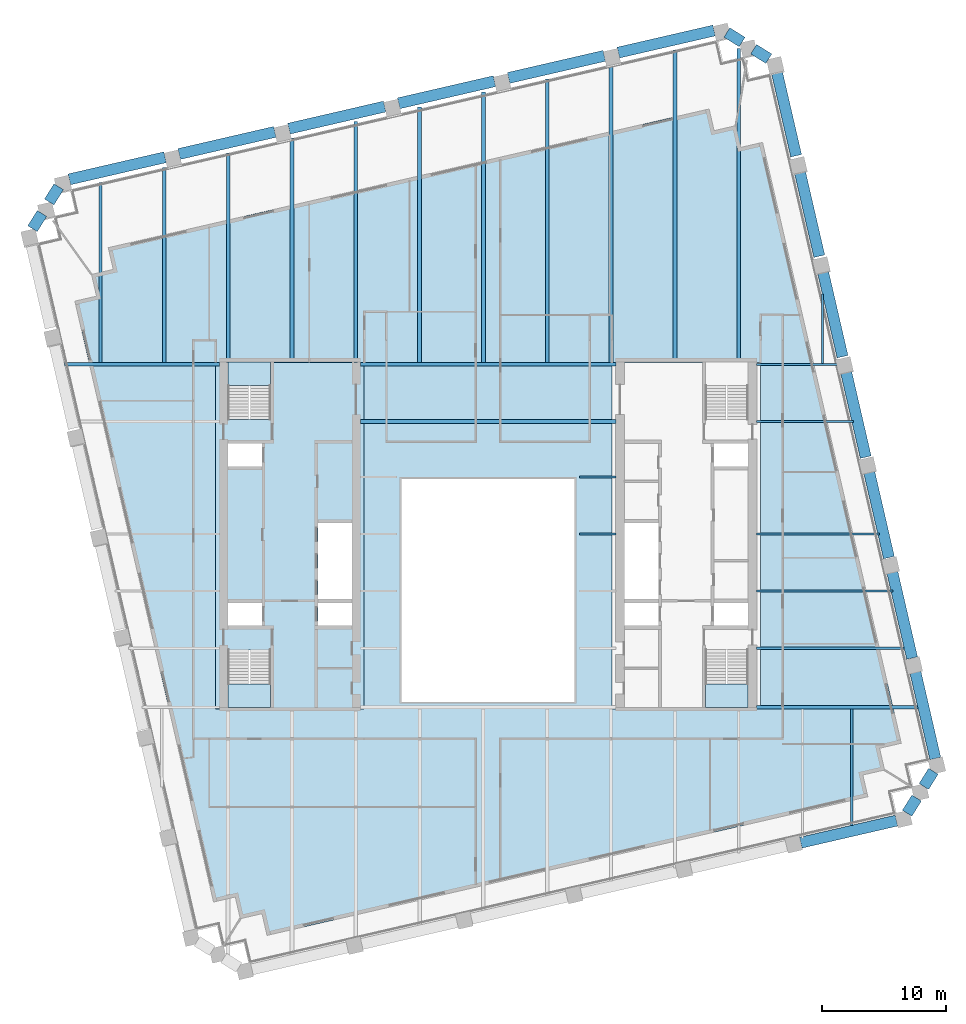
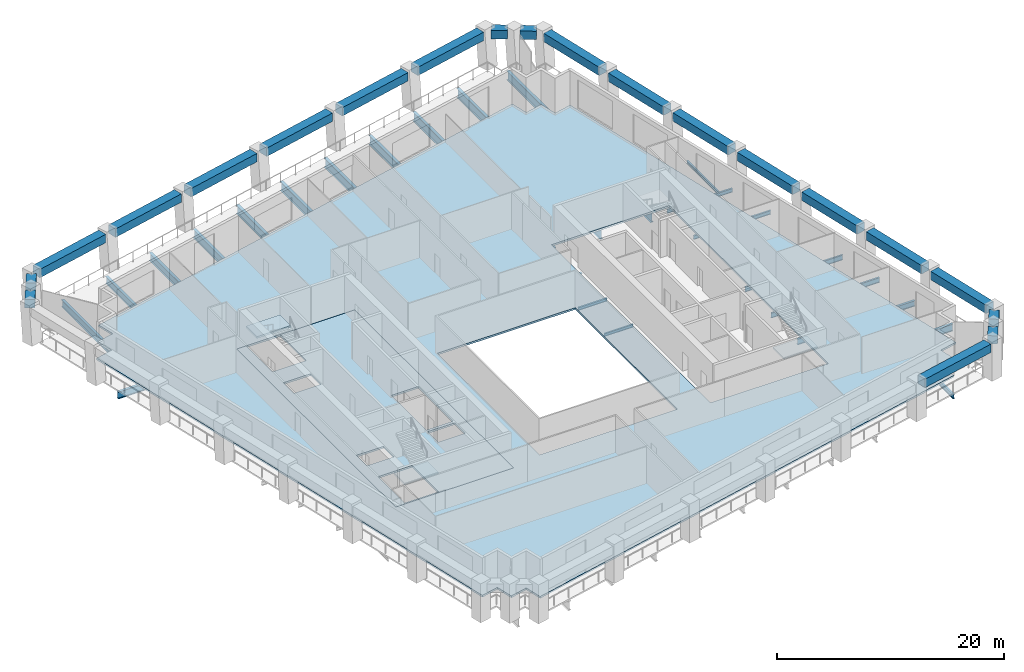
# One storey, part 2 of 10: 44 beams, 5 slabs, 3 elements without a shape of their own.
"""IFC4 building model written with IfcOpenShell, lengths in metres."""

from ifc_helpers import new_model, si_unit, direction, frame, origin, origin_2d, place, context, subcontext, project, spatial, polyline, rectangle, i_section, outline, extrude, material, layer, layer_set, material_profile, profile_set, type_object, element, aggregate, save


model = new_model("IFC4")

# Units and contexts
model_context = context("Model", 3, precision=1e-05, world=origin(), true_north=direction((0.0, 1.0)))
body_context = subcontext(model_context, "Body", "Model", "MODEL_VIEW")
ifc_project = project(units=[si_unit("LENGTHUNIT", "METRE"), si_unit("AREAUNIT", "SQUARE_METRE"), si_unit("VOLUMEUNIT", "CUBIC_METRE"), si_unit("PLANEANGLEUNIT", "RADIAN"), si_unit("MASSUNIT", "GRAM", prefix="KILO")], contexts=[model_context])

# Site, building, storey
site_placement = place(None, origin())
site = spatial("IfcSite", under=ifc_project, at=site_placement, CompositionType="ELEMENT")
building_placement = place(site_placement, origin())
building = spatial("IfcBuilding", under=site, at=building_placement, Name="Ogive Exchange Tower", CompositionType="ELEMENT")
storey_placement = place(building_placement, frame((0.0, 0.0, 205.199951171875)))
storey = spatial("IfcBuildingStorey", under=building, at=storey_placement, Name="L45", CompositionType="ELEMENT", Elevation=205.199951171875)

# Beams
ifc_material_1 = material(Name="Steel ASTM A992 Gr50", Category="steel")
ifc_material_profile_1 = material_profile(ifc_material_1, i_section(OverallWidth=0.300048828125, OverallDepth=0.97998046875, WebThickness=0.0166015625, FlangeThickness=0.026123046875, at=origin_2d()), Name="W1000x249")
ifc_profile_set_1 = profile_set([ifc_material_profile_1], Name="Steel ASTM A992 Gr50")
beam_type_1 = type_object("IfcBeamType", Name="Floor beam W1000x249", PredefinedType="JOIST", material=ifc_profile_set_1)
beam_1_placement = place(storey_placement, frame((-10.320068359375, 20.62255859375, -0.68994140625), z_axis=(1.0, 0.0, 0.0), x_axis=(0.0, 1.0, 0.0)))
element("IfcBeam", 1, at=beam_1_placement, inside=storey, type_object=beam_type_1, Name="Floor beam", PredefinedType="JOIST", context=body_context, shape_type="SweptSolid", body=[
    extrude(i_section(OverallWidth=0.300048828125, OverallDepth=0.97998046875, WebThickness=0.0166015625, FlangeThickness=0.026123046875, at=origin_2d()), origin(), (0.0, 0.0, 1.0), 20.64013671875),
])
beam_2_placement = place(storey_placement, frame((-5.529052734375, 25.39501953125, -0.68994140625), z_axis=(0.0, 1.0, 0.0), x_axis=(-1.0, 0.0, 0.0)))
element("IfcBeam", 2, at=beam_2_placement, inside=storey, type_object=beam_type_1, Name="Floor beam", PredefinedType="JOIST", context=body_context, shape_type="SweptSolid", body=[
    extrude(i_section(OverallWidth=0.300048828125, OverallDepth=0.97998046875, WebThickness=0.0166015625, FlangeThickness=0.026123046875, at=origin_2d()), origin(), (0.0, 0.0, 1.0), 20.644775390625),
])
beam_3_placement = place(storey_placement, frame((-0.374267578125, 25.39501953125, -0.68994140625), z_axis=(0.0, 1.0, 0.0), x_axis=(-1.0, 0.0, 0.0)))
element("IfcBeam", 3, at=beam_3_placement, inside=storey, type_object=beam_type_1, Name="Floor beam", PredefinedType="JOIST", context=body_context, shape_type="SweptSolid", body=[
    extrude(i_section(OverallWidth=0.300048828125, OverallDepth=0.97998046875, WebThickness=0.0166015625, FlangeThickness=0.026123046875, at=origin_2d()), origin(), (0.0, 0.0, 1.0), 21.834716796875),
])
beam_4_placement = place(storey_placement, frame((4.780517578125, 25.39501953125, -0.68994140625), z_axis=(0.0, 1.0, 0.0), x_axis=(-1.0, 0.0, 0.0)))
element("IfcBeam", 4, at=beam_4_placement, inside=storey, type_object=beam_type_1, Name="Floor beam", PredefinedType="JOIST", context=body_context, shape_type="SweptSolid", body=[
    extrude(i_section(OverallWidth=0.300048828125, OverallDepth=0.97998046875, WebThickness=0.0166015625, FlangeThickness=0.026123046875, at=origin_2d()), origin(), (0.0, 0.0, 1.0), 22.875),
])
beam_5_placement = place(storey_placement, frame((9.935302734375, 25.39501953125, -0.68994140625), z_axis=(0.0, 1.0, 0.0), x_axis=(-1.0, 0.0, 0.0)))
element("IfcBeam", 5, at=beam_5_placement, inside=storey, type_object=beam_type_1, Name="Floor beam", PredefinedType="JOIST", context=body_context, shape_type="SweptSolid", body=[
    extrude(i_section(OverallWidth=0.300048828125, OverallDepth=0.97998046875, WebThickness=0.0166015625, FlangeThickness=0.026123046875, at=origin_2d()), origin(), (0.0, 0.0, 1.0), 24.06494140625),
])
beam_6_placement = place(storey_placement, frame((15.090087890625, 25.39990234375, -0.68994140625), z_axis=(0.0, 1.0, 0.0), x_axis=(-1.0, 0.0, 0.0)))
element("IfcBeam", 6, at=beam_6_placement, inside=storey, type_object=beam_type_1, Name="Floor beam", PredefinedType="JOIST", context=body_context, shape_type="SweptSolid", body=[
    extrude(i_section(OverallWidth=0.300048828125, OverallDepth=0.97998046875, WebThickness=0.0166015625, FlangeThickness=0.026123046875, at=origin_2d()), origin(), (0.0, 0.0, 1.0), 25.250244140625),
])
beam_7_placement = place(storey_placement, frame((20.2451171875, 25.39990234375, -0.68994140625), z_axis=(0.0, 1.0, 0.0), x_axis=(-1.0, 0.0, 0.0)))
element("IfcBeam", 7, at=beam_7_placement, inside=storey, type_object=beam_type_1, Name="Floor beam", PredefinedType="JOIST", context=body_context, shape_type="SweptSolid", body=[
    extrude(i_section(OverallWidth=0.300048828125, OverallDepth=0.97998046875, WebThickness=0.0166015625, FlangeThickness=0.026123046875, at=origin_2d()), origin(), (0.0, 0.0, 1.0), 25.37109375),
])
ifc_material_profile_2 = material_profile(ifc_material_1, i_section(OverallWidth=0.1650390625, OverallDepth=0.31005859375, WebThickness=0.005859375, FlangeThickness=0.009765625, at=origin_2d()), Name="W310x38.7")
ifc_profile_set_2 = profile_set([ifc_material_profile_2], Name="Steel ASTM A992 Gr50")
beam_type_2 = type_object("IfcBeamType", Name="Floor beam W310x38.7", PredefinedType="JOIST", material=ifc_profile_set_2)
beam_8_placement = place(storey_placement, frame((7.3701171875, 11.543701171875, -0.35498046875), z_axis=(1.0, 0.0, 0.0), x_axis=(0.0, 1.0, 0.0)))
element("IfcBeam", 8, at=beam_8_placement, inside=storey, type_object=beam_type_2, Name="Floor beam", PredefinedType="JOIST", context=body_context, shape_type="SweptSolid", body=[
    extrude(i_section(OverallWidth=0.1650390625, OverallDepth=0.31005859375, WebThickness=0.005859375, FlangeThickness=0.009765625, at=origin_2d()), origin(), (0.0, 0.0, 1.0), 2.949951171875),
])
beam_9_placement = place(storey_placement, frame((26.999755859375, 25.333984375, -0.35498046875), z_axis=(0.0, 1.0, 0.0), x_axis=(-1.0, 0.0, 0.0)))
element("IfcBeam", 9, at=beam_9_placement, inside=storey, type_object=beam_type_2, Name="Floor beam", PredefinedType="JOIST", context=body_context, shape_type="SweptSolid", body=[
    extrude(i_section(OverallWidth=0.1650390625, OverallDepth=0.31005859375, WebThickness=0.005859375, FlangeThickness=0.009765625, at=origin_2d()), origin(), (0.0, 0.0, 1.0), 5.579833984375),
])
ifc_material_profile_3 = material_profile(ifc_material_1, i_section(OverallWidth=0.177978515625, OverallDepth=0.406005859375, WebThickness=0.0078125, FlangeThickness=0.0126953125, at=origin_2d()), Name="W410x60")
ifc_profile_set_3 = profile_set([ifc_material_profile_3], Name="Steel ASTM A992 Gr50")
beam_type_3 = type_object("IfcBeamType", Name="Floor beam W410x60", PredefinedType="JOIST", material=ifc_profile_set_3)
beam_10_placement = place(storey_placement, frame((21.679931640625, 20.62255859375, -0.40283203125), z_axis=(1.0, 0.0, 0.0), x_axis=(0.0, 1.0, 0.0)))
element("IfcBeam", 10, at=beam_10_placement, inside=storey, type_object=beam_type_3, Name="Floor beam", PredefinedType="JOIST", context=body_context, shape_type="SweptSolid", body=[
    extrude(i_section(OverallWidth=0.177978515625, OverallDepth=0.406005859375, WebThickness=0.0078125, FlangeThickness=0.0126953125, at=origin_2d()), origin(), (0.0, 0.0, 1.0), 7.845703125),
])
ifc_material_profile_4 = material_profile(ifc_material_1, i_section(OverallWidth=0.19091796875, OverallDepth=0.45703125, WebThickness=0.009033203125, FlangeThickness=0.014404296875, at=origin_2d()), Name="W460x74")
ifc_profile_set_4 = profile_set([ifc_material_profile_4], Name="Steel ASTM A992 Gr50")
beam_type_4 = type_object("IfcBeamType", Name="Floor beam W460x74", PredefinedType="JOIST", material=ifc_profile_set_4)
beam_11_placement = place(storey_placement, frame((29.354736328125, -11.973876953125, -0.428466796875), z_axis=(0.0, 1.0, 0.0), x_axis=(-1.0, 0.0, 0.0)))
element("IfcBeam", 11, at=beam_11_placement, inside=storey, type_object=beam_type_4, Name="Floor beam", PredefinedType="JOIST", context=body_context, shape_type="SweptSolid", body=[
    extrude(i_section(OverallWidth=0.19091796875, OverallDepth=0.45703125, WebThickness=0.009033203125, FlangeThickness=0.014404296875, at=origin_2d()), origin(), (0.0, 0.0, 1.0), 9.395263671875),
])
ifc_material_profile_5 = material_profile(ifc_material_1, i_section(OverallWidth=0.1669921875, OverallDepth=0.535888671875, WebThickness=0.01025390625, FlangeThickness=0.0166015625, at=origin_2d()), Name="W530x85")
ifc_profile_set_5 = profile_set([ifc_material_profile_5], Name="Steel ASTM A992 Gr50")
beam_type_5 = type_object("IfcBeamType", Name="Floor beam W530x85", PredefinedType="JOIST", material=ifc_profile_set_5)
beam_12_placement = place(storey_placement, frame((21.679931640625, 6.9326171875, -0.468017578125), z_axis=(1.0, 0.0, 0.0), x_axis=(0.0, 1.0, 0.0)))
element("IfcBeam", 12, at=beam_12_placement, inside=storey, type_object=beam_type_5, Name="Floor beam", PredefinedType="JOIST", context=body_context, shape_type="SweptSolid", body=[
    extrude(i_section(OverallWidth=0.1669921875, OverallDepth=0.535888671875, WebThickness=0.01025390625, FlangeThickness=0.0166015625, at=origin_2d()), origin(), (0.0, 0.0, 1.0), 11.00634765625),
])
beam_13_placement = place(storey_placement, frame((21.679931640625, 11.543701171875, -0.468017578125), z_axis=(1.0, 0.0, 0.0), x_axis=(0.0, 1.0, 0.0)))
element("IfcBeam", 13, at=beam_13_placement, inside=storey, type_object=beam_type_5, Name="Floor beam", PredefinedType="JOIST", context=body_context, shape_type="SweptSolid", body=[
    extrude(i_section(OverallWidth=0.1669921875, OverallDepth=0.535888671875, WebThickness=0.01025390625, FlangeThickness=0.0166015625, at=origin_2d()), origin(), (0.0, 0.0, 1.0), 9.941650390625),
])
ifc_material_profile_6 = material_profile(ifc_material_1, i_section(OverallWidth=0.22802734375, OverallDepth=0.60205078125, WebThickness=0.010498046875, FlangeThickness=0.014892578125, at=origin_2d()), Name="W610x101")
ifc_profile_set_6 = profile_set([ifc_material_profile_6], Name="Steel ASTM A992 Gr50")
beam_type_6 = type_object("IfcBeamType", Name="Floor beam W610x101", PredefinedType="JOIST", material=ifc_profile_set_6)
beam_14_placement = place(storey_placement, frame((21.679931640625, 2.3212890625, -0.5009765625), z_axis=(1.0, 0.0, 0.0), x_axis=(0.0, 1.0, 0.0)))
element("IfcBeam", 14, at=beam_14_placement, inside=storey, type_object=beam_type_6, Name="Floor beam", PredefinedType="JOIST", context=body_context, shape_type="SweptSolid", body=[
    extrude(i_section(OverallWidth=0.22802734375, OverallDepth=0.60205078125, WebThickness=0.010498046875, FlangeThickness=0.014892578125, at=origin_2d()), origin(), (0.0, 0.0, 1.0), 11.9208984375),
])
ifc_material_profile_7 = material_profile(ifc_material_1, i_section(OverallWidth=0.26708984375, OverallDepth=0.75390625, WebThickness=0.01318359375, FlangeThickness=0.01708984375, at=origin_2d()), Name="W760x147")
ifc_profile_set_7 = profile_set([ifc_material_profile_7], Name="Steel ASTM A992 Gr50")
beam_type_7 = type_object("IfcBeamType", Name="Floor beam W760x147", PredefinedType="JOIST", material=ifc_profile_set_7)
beam_15_placement = place(storey_placement, frame((-31.30322265625, 25.37841796875, -0.576904296875), z_axis=(0.0, 1.0, 0.0), x_axis=(-1.0, 0.0, 0.0)))
element("IfcBeam", 15, at=beam_15_placement, inside=storey, type_object=beam_type_7, Name="Floor beam", PredefinedType="JOIST", context=body_context, shape_type="SweptSolid", body=[
    extrude(i_section(OverallWidth=0.26708984375, OverallDepth=0.75390625, WebThickness=0.01318359375, FlangeThickness=0.01708984375, at=origin_2d()), origin(), (0.0, 0.0, 1.0), 14.560791015625),
])
beam_16_placement = place(storey_placement, frame((-26.1484375, 25.37841796875, -0.576904296875), z_axis=(0.0, 1.0, 0.0), x_axis=(-1.0, 0.0, 0.0)))
element("IfcBeam", 16, at=beam_16_placement, inside=storey, type_object=beam_type_7, Name="Floor beam", PredefinedType="JOIST", context=body_context, shape_type="SweptSolid", body=[
    extrude(i_section(OverallWidth=0.26708984375, OverallDepth=0.75390625, WebThickness=0.01318359375, FlangeThickness=0.01708984375, at=origin_2d()), origin(), (0.0, 0.0, 1.0), 15.7509765625),
])
ifc_material_profile_8 = material_profile(ifc_material_1, i_section(OverallWidth=0.2919921875, OverallDepth=0.8359375, WebThickness=0.013916015625, FlangeThickness=0.018798828125, at=origin_2d()), Name="W840x176")
ifc_profile_set_8 = profile_set([ifc_material_profile_8], Name="Steel ASTM A992 Gr50")
beam_type_8 = type_object("IfcBeamType", Name="Floor beam W840x176", PredefinedType="JOIST", material=ifc_profile_set_8)
beam_17_placement = place(storey_placement, frame((-20.99365234375, 25.39990234375, -0.617919921875), z_axis=(0.0, 1.0, 0.0), x_axis=(-1.0, 0.0, 0.0)))
element("IfcBeam", 17, at=beam_17_placement, inside=storey, type_object=beam_type_8, Name="Floor beam", PredefinedType="JOIST", context=body_context, shape_type="SweptSolid", body=[
    extrude(i_section(OverallWidth=0.2919921875, OverallDepth=0.8359375, WebThickness=0.013916015625, FlangeThickness=0.018798828125, at=origin_2d()), origin(), (0.0, 0.0, 1.0), 16.919677734375),
])
ifc_material_profile_9 = material_profile(ifc_material_1, i_section(OverallWidth=0.304931640625, OverallDepth=0.904052734375, WebThickness=0.01513671875, FlangeThickness=0.02001953125, at=origin_2d()), Name="W920x201")
ifc_profile_set_9 = profile_set([ifc_material_profile_9], Name="Steel ASTM A992 Gr50")
beam_type_9 = type_object("IfcBeamType", Name="Floor beam W920x201", PredefinedType="JOIST", material=ifc_profile_set_9)
beam_18_placement = place(storey_placement, frame((-15.8388671875, 25.39990234375, -0.65185546875), z_axis=(0.0, 1.0, 0.0), x_axis=(-1.0, 0.0, 0.0)))
element("IfcBeam", 18, at=beam_18_placement, inside=storey, type_object=beam_type_9, Name="Floor beam", PredefinedType="JOIST", context=body_context, shape_type="SweptSolid", body=[
    extrude(i_section(OverallWidth=0.304931640625, OverallDepth=0.904052734375, WebThickness=0.01513671875, FlangeThickness=0.02001953125, at=origin_2d()), origin(), (0.0, 0.0, 1.0), 18.109619140625),
])
ifc_material_profile_10 = material_profile(ifc_material_1, i_section(OverallWidth=0.306884765625, OverallDepth=0.927001953125, WebThickness=0.019287109375, FlangeThickness=0.031982421875, at=origin_2d()), Name="W920x289")
ifc_profile_set_10 = profile_set([ifc_material_profile_10], Name="Steel ASTM A992 Gr50")
beam_type_10 = type_object("IfcBeamType", Name="Floor beam W920x289", PredefinedType="JOIST", material=ifc_profile_set_10)
beam_19_placement = place(storey_placement, frame((-10.683837890625, 25.39990234375, -0.663330078125), z_axis=(0.0, 1.0, 0.0), x_axis=(-1.0, 0.0, 0.0)))
element("IfcBeam", 19, at=beam_19_placement, inside=storey, type_object=beam_type_10, Name="Floor beam", PredefinedType="JOIST", context=body_context, shape_type="SweptSolid", body=[
    extrude(i_section(OverallWidth=0.306884765625, OverallDepth=0.927001953125, WebThickness=0.019287109375, FlangeThickness=0.031982421875, at=origin_2d()), origin(), (0.0, 0.0, 1.0), 19.44970703125),
])
ifc_material_profile_11 = material_profile(ifc_material_1, i_section(OverallWidth=0.300048828125, OverallDepth=0.97998046875, WebThickness=0.0166015625, FlangeThickness=0.026123046875, at=origin_2d()), Name="W1000x249")
ifc_profile_set_11 = profile_set([ifc_material_profile_11], Name="Steel ASTM A992 Gr50")
beam_type_11 = type_object("IfcBeamType", Name="Girder W1000x249", PredefinedType="BEAM", material=ifc_profile_set_11)
beam_20_placement = place(storey_placement, frame((-10.320068359375, 25.2451171875, -0.68994140625), z_axis=(1.0, 0.0, 0.0), x_axis=(0.0, 1.0, 0.0)))
element("IfcBeam", 20, at=beam_20_placement, inside=storey, type_object=beam_type_11, Name="Header girder", PredefinedType="BEAM", context=body_context, shape_type="SweptSolid", body=[
    extrude(i_section(OverallWidth=0.300048828125, OverallDepth=0.97998046875, WebThickness=0.0166015625, FlangeThickness=0.026123046875, at=origin_2d()), origin(), (0.0, 0.0, 1.0), 20.64013671875),
])
ifc_material_profile_12 = material_profile(ifc_material_1, i_section(OverallWidth=0.1650390625, OverallDepth=0.31005859375, WebThickness=0.005859375, FlangeThickness=0.009765625, at=origin_2d()), Name="W310x38.7")
ifc_profile_set_12 = profile_set([ifc_material_profile_12], Name="Steel ASTM A992 Gr50")
beam_type_12 = type_object("IfcBeamType", Name="Girder W310x38.7", PredefinedType="BEAM", material=ifc_profile_set_12)
beam_21_placement = place(storey_placement, frame((7.3701171875, 16.155029296875, -0.35498046875), z_axis=(1.0, 0.0, 0.0), x_axis=(0.0, 1.0, 0.0)))
element("IfcBeam", 21, at=beam_21_placement, inside=storey, type_object=beam_type_12, Name="Trimmer girder", PredefinedType="BEAM", context=body_context, shape_type="SweptSolid", body=[
    extrude(i_section(OverallWidth=0.1650390625, OverallDepth=0.31005859375, WebThickness=0.005859375, FlangeThickness=0.009765625, at=origin_2d()), origin(), (0.0, 0.0, 1.0), 2.949951171875),
])
ifc_material_profile_13 = material_profile(ifc_material_1, i_section(OverallWidth=0.177978515625, OverallDepth=0.406005859375, WebThickness=0.0078125, FlangeThickness=0.0126953125, at=origin_2d()), Name="W410x60")
ifc_profile_set_13 = profile_set([ifc_material_profile_13], Name="Steel ASTM A992 Gr50")
beam_type_13 = type_object("IfcBeamType", Name="Girder W410x60", PredefinedType="BEAM", material=ifc_profile_set_13)
beam_22_placement = place(storey_placement, frame((21.679931640625, 25.2451171875, -0.40283203125), z_axis=(1.0, 0.0, 0.0), x_axis=(0.0, 1.0, 0.0)))
element("IfcBeam", 22, at=beam_22_placement, inside=storey, type_object=beam_type_13, Name="Header girder", PredefinedType="BEAM", context=body_context, shape_type="SweptSolid", body=[
    extrude(i_section(OverallWidth=0.177978515625, OverallDepth=0.406005859375, WebThickness=0.0078125, FlangeThickness=0.0126953125, at=origin_2d()), origin(), (0.0, 0.0, 1.0), 6.628662109375),
])
ifc_material_profile_14 = material_profile(ifc_material_1, i_section(OverallWidth=0.26708984375, OverallDepth=0.75390625, WebThickness=0.01318359375, FlangeThickness=0.01708984375, at=origin_2d()), Name="W760x147")
ifc_profile_set_14 = profile_set([ifc_material_profile_14], Name="Steel ASTM A992 Gr50")
beam_type_14 = type_object("IfcBeamType", Name="Girder W760x147", PredefinedType="BEAM", material=ifc_profile_set_14)
beam_23_placement = place(storey_placement, frame((21.679931640625, -2.445068359375, -0.576904296875), z_axis=(1.0, 0.0, 0.0), x_axis=(0.0, 1.0, 0.0)))
element("IfcBeam", 23, at=beam_23_placement, inside=storey, type_object=beam_type_14, Name="Header girder", PredefinedType="BEAM", context=body_context, shape_type="SweptSolid", body=[
    extrude(i_section(OverallWidth=0.26708984375, OverallDepth=0.75390625, WebThickness=0.01318359375, FlangeThickness=0.01708984375, at=origin_2d()), origin(), (0.0, 0.0, 1.0), 13.021484375),
])
beam_24_placement = place(storey_placement, frame((-34.193359375, 25.2451171875, -0.576904296875), z_axis=(1.0, 0.0, 0.0), x_axis=(0.0, 1.0, 0.0)))
element("IfcBeam", 24, at=beam_24_placement, inside=storey, type_object=beam_type_14, Name="Header girder", PredefinedType="BEAM", context=body_context, shape_type="SweptSolid", body=[
    extrude(i_section(OverallWidth=0.26708984375, OverallDepth=0.75390625, WebThickness=0.01318359375, FlangeThickness=0.01708984375, at=origin_2d()), origin(), (0.0, 0.0, 1.0), 12.513427734375),
])
ifc_material_2 = material(Name="Precast concrete C70/85 (limestone faced)", Category="masonry")
ifc_material_profile_15 = material_profile(ifc_material_2, rectangle(XDim=0.89990234375, YDim=0.89990234375, at=origin_2d()), Name="900 x 900")
ifc_profile_set_15 = profile_set([ifc_material_profile_15], Name="Precast concrete C70/85 (limestone faced)")
beam_type_15 = type_object("IfcBeamType", Name="Precast spandrel 900 x 900 C70/85", PredefinedType="SPANDREL", material=ifc_profile_set_15)
beam_25_placement = place(storey_placement, frame((25.249755859375, -13.383544921875, 3.5), z_axis=(0.974368388194, 0.224958316335, 0.0), x_axis=(-0.224958316335, 0.974368388194, 0.0)))
element("IfcBeam", 25, at=beam_25_placement, inside=storey, type_object=beam_type_15, Name="Spandrel 6", PredefinedType="SPANDREL", context=body_context, shape_type="SweptSolid", body=[
    extrude(rectangle(XDim=0.89990234375, YDim=0.89990234375, at=origin_2d()), origin(), (0.0, 0.0, 1.0), 7.93994140625),
])
for number, where, z_axis, x_axis, name in (
    (26, (33.842041015625, -11.001708984375, 3.5), (0.529877740036, 0.848074041941, 0.0), (-0.848074041941, 0.529877740036, 0.0), "Spandrel 7"),
    (27, (35.19091796875, -8.843017578125, 3.5), (0.529877740036, 0.848074041941, 0.0), (-0.848074041941, 0.529877740036, 0.0), "Spandrel 8"),
):
    element("IfcBeam", number, at=place(storey_placement, frame(where, z_axis=z_axis, x_axis=x_axis)), inside=storey, type_object=beam_type_15, Name=name, PredefinedType="SPANDREL", context=body_context, shape_type="SweptSolid", body=[
        extrude(rectangle(XDim=0.89990234375, YDim=0.89990234375, at=origin_2d()), origin(), (0.0, 0.0, 1.0), 1.448486328125),
    ])
for number, where, z_axis, x_axis, name in (
    (28, (36.11865234375, -6.584228515625, 3.5), (-0.224931666066, 0.974374540719, 0.0), (-0.974374540719, -0.224931666066, 0.0), "Spandrel 9"),
    (29, (34.245849609375, 1.5283203125, 3.5), (-0.224964012167, 0.974367073145, 0.0), (-0.974367073145, -0.224964012167, 0.0), "Spandrel 10"),
    (30, (32.372802734375, 9.640625, 3.5), (-0.224931666066, 0.974374540719, 0.0), (-0.974374540719, -0.224931666066, 0.0), "Spandrel 11"),
):
    element("IfcBeam", number, at=place(storey_placement, frame(where, z_axis=z_axis, x_axis=x_axis)), inside=storey, type_object=beam_type_15, Name=name, PredefinedType="SPANDREL", context=body_context, shape_type="SweptSolid", body=[
        extrude(rectangle(XDim=0.89990234375, YDim=0.89990234375, at=origin_2d()), origin(), (0.0, 0.0, 1.0), 7.165771484375),
    ])
beam_26_placement = place(storey_placement, frame((30.5, 17.753173828125, 3.5), z_axis=(-0.224939133401, 0.974372816875, 0.0), x_axis=(-0.974372816875, -0.224939133401, 0.0)))
element("IfcBeam", 31, at=beam_26_placement, inside=storey, type_object=beam_type_15, Name="Spandrel 12", PredefinedType="SPANDREL", context=body_context, shape_type="SweptSolid", body=[
    extrude(rectangle(XDim=0.89990234375, YDim=0.89990234375, at=origin_2d()), origin(), (0.0, 0.0, 1.0), 7.16552734375),
])
beam_27_placement = place(storey_placement, frame((28.627197265625, 25.865478515625, 3.5), z_axis=(-0.224964012167, 0.974367073145, 0.0), x_axis=(-0.974367073145, -0.224964012167, 0.0)))
element("IfcBeam", 32, at=beam_27_placement, inside=storey, type_object=beam_type_15, Name="Spandrel 13", PredefinedType="SPANDREL", context=body_context, shape_type="SweptSolid", body=[
    extrude(rectangle(XDim=0.89990234375, YDim=0.89990234375, at=origin_2d()), origin(), (0.0, 0.0, 1.0), 7.165771484375),
])
beam_28_placement = place(storey_placement, frame((26.754150390625, 33.977783203125, 3.5), z_axis=(-0.224924199214, 0.974376264391, 0.0), x_axis=(-0.974376264391, -0.224924199214, 0.0)))
element("IfcBeam", 33, at=beam_28_placement, inside=storey, type_object=beam_type_15, Name="Spandrel 14", PredefinedType="SPANDREL", context=body_context, shape_type="SweptSolid", body=[
    extrude(rectangle(XDim=0.89990234375, YDim=0.89990234375, at=origin_2d()), origin(), (0.0, 0.0, 1.0), 7.166015625),
])
beam_29_placement = place(storey_placement, frame((24.88134765625, 42.09033203125, 3.5), z_axis=(-0.224964012167, 0.974367073145, 0.0), x_axis=(-0.974367073145, -0.224964012167, 0.0)))
element("IfcBeam", 34, at=beam_29_placement, inside=storey, type_object=beam_type_15, Name="Spandrel 15", PredefinedType="SPANDREL", context=body_context, shape_type="SweptSolid", body=[
    extrude(rectangle(XDim=0.89990234375, YDim=0.89990234375, at=origin_2d()), origin(), (0.0, 0.0, 1.0), 7.165771484375),
])
for number, where, z_axis, x_axis, name in (
    (35, (22.673583984375, 49.92822265625, 3.5), (-0.848026711821, 0.529953484787, 0.0), (-0.529953484787, -0.848026711821, 0.0), "Spandrel 16"),
    (36, (20.514892578125, 51.27734375, 3.5), (-0.848026711821, 0.529953484787, 0.0), (-0.529953484787, -0.848026711821, 0.0), "Spandrel 17"),
):
    element("IfcBeam", number, at=place(storey_placement, frame(where, z_axis=z_axis, x_axis=x_axis)), inside=storey, type_object=beam_type_15, Name=name, PredefinedType="SPANDREL", context=body_context, shape_type="SweptSolid", body=[
        extrude(rectangle(XDim=0.89990234375, YDim=0.89990234375, at=origin_2d()), origin(), (0.0, 0.0, 1.0), 1.448486328125),
    ])
beam_30_placement = place(storey_placement, frame((18.256103515625, 52.205078125, 3.5), z_axis=(-0.974368388194, -0.224958316335, 0.0), x_axis=(0.224958316335, -0.974368388194, 0.0)))
element("IfcBeam", 37, at=beam_30_placement, inside=storey, type_object=beam_type_15, Name="Spandrel 18", PredefinedType="SPANDREL", context=body_context, shape_type="SweptSolid", body=[
    extrude(rectangle(XDim=0.89990234375, YDim=0.89990234375, at=origin_2d()), origin(), (0.0, 0.0, 1.0), 7.93994140625),
])
for number, where, z_axis, x_axis, name in (
    (38, (9.389404296875, 50.157958984375, 3.5), (-0.974369944206, -0.224951576629, 0.0), (0.224951576629, -0.974369944206, 0.0), "Spandrel 19"),
    (39, (0.522705078125, 48.111083984375, 3.5), (-0.974363204306, -0.224980768276, 0.0), (0.224980768276, -0.974363204306, 0.0), "Spandrel 20"),
    (40, (-8.343994140625, 46.06396484375, 3.5), (-0.974369944206, -0.224951576629, 0.0), (0.224951576629, -0.974369944206, 0.0), "Spandrel 21"),
    (41, (-17.2109375, 44.016845703125, 3.5), (-0.974369944206, -0.224951576629, 0.0), (0.224951576629, -0.974369944206, 0.0), "Spandrel 22"),
    (42, (-26.07763671875, 41.9697265625, 3.5), (-0.974369944206, -0.224951576629, 0.0), (0.224951576629, -0.974369944206, 0.0), "Spandrel 23"),
):
    element("IfcBeam", number, at=place(storey_placement, frame(where, z_axis=z_axis, x_axis=x_axis)), inside=storey, type_object=beam_type_15, Name=name, PredefinedType="SPANDREL", context=body_context, shape_type="SweptSolid", body=[
        extrude(rectangle(XDim=0.89990234375, YDim=0.89990234375, at=origin_2d()), origin(), (0.0, 0.0, 1.0), 7.940185546875),
    ])
beam_31_placement = place(storey_placement, frame((-34.669921875, 39.587890625, 3.5), z_axis=(-0.529953484787, -0.848026711821, 0.0), x_axis=(0.848026711821, -0.529953484787, 0.0)))
element("IfcBeam", 43, at=beam_31_placement, inside=storey, type_object=beam_type_15, Name="Spandrel 24", PredefinedType="SPANDREL", context=body_context, shape_type="SweptSolid", body=[
    extrude(rectangle(XDim=0.89990234375, YDim=0.89990234375, at=origin_2d()), origin(), (0.0, 0.0, 1.0), 1.448486328125),
])
beam_32_placement = place(storey_placement, frame((-36.018798828125, 37.42919921875, 3.5), z_axis=(-0.529998940003, -0.847998304005, 0.0), x_axis=(0.847998304005, -0.529998940003, 0.0)))
element("IfcBeam", 44, at=beam_32_placement, inside=storey, type_object=beam_type_15, Name="Spandrel 25", PredefinedType="SPANDREL", context=body_context, shape_type="SweptSolid", body=[
    extrude(rectangle(XDim=0.89990234375, YDim=0.89990234375, at=origin_2d()), origin(), (0.0, 0.0, 1.0), 1.44873046875),
])

# Slabs
ifc_material_3 = material(Name="Concrete C50/60", Category="concrete")
ifc_layer_1 = layer(ifc_material_3, 0.199951171875)
ifc_layer_set_1 = layer_set([ifc_layer_1], Name="Composite floor slab 200")
slab_type_1 = type_object("IfcSlabType", Name="Composite floor slab 200", PredefinedType="FLOOR", material=ifc_layer_set_1)
slab_1_placement = place(storey_placement, frame((0.0, 0.0, -0.199951171875)))
element("IfcSlab", 45, at=slab_1_placement, inside=storey, type_object=slab_type_1, Name="Composite floor slab", PredefinedType="FLOOR", context=body_context, shape_type="SweptSolid", body=[
    extrude(outline(polyline([(-18.255615234375, -19.116943359375), (-20.009521484375, -19.52197265625), (-20.414306640625, -17.76806640625), (-22.168212890625, -18.1728515625), (-33.370849609375, 30.3505859375), (-31.616943359375, 30.755615234375), (-32.02197265625, 32.509521484375), (-30.26806640625, 32.914306640625), (-30.6728515625, 34.668212890625), (17.8505859375, 45.870849609375), (18.255615234375, 44.116943359375), (20.009521484375, 44.52197265625), (20.414306640625, 42.76806640625), (22.168212890625, 43.1728515625), (33.370849609375, -5.3505859375), (31.616943359375, -5.755615234375), (32.02197265625, -7.509521484375), (30.26806640625, -7.914306640625), (30.6728515625, -9.668212890625), (-17.8505859375, -20.870849609375), (-18.255615234375, -19.116943359375)]), holes=[polyline([(7.0, -2.0), (7.0, 16.0), (-7.0, 16.0), (-7.0, -2.0), (7.0, -2.0)]), polyline([(-22.0, -2.60009765625), (-10.0, -2.60009765625), (-10.0, 25.39990234375), (-22.0, 25.39990234375), (-22.0, -2.60009765625)]), polyline([(10.0, -2.60009765625), (22.0, -2.60009765625), (22.0, 25.39990234375), (10.0, 25.39990234375), (10.0, -2.60009765625)])]), origin(), (0.0, 0.0, 1.0), 0.199951171875),
])
ifc_material_4 = material(Name="Concrete C70/85", Category="concrete")
ifc_layer_2 = layer(ifc_material_4, 0.199951171875)
ifc_layer_set_2 = layer_set([ifc_layer_2], Name="Core floor slab 200")
slab_type_2 = type_object("IfcSlabType", Name="Core floor slab 200", PredefinedType="FLOOR", material=ifc_layer_set_2)
slab_2_placement = place(storey_placement, frame((0.0, 0.0, -0.199951171875)))
element("IfcSlab", 46, at=slab_2_placement, inside=storey, type_object=slab_type_2, Name="Core floor slab", PredefinedType="FLOOR", context=body_context, shape_type="SweptSolid", body=[
    extrude(outline(polyline([(-10.0, 25.39990234375), (-10.0, -2.60009765625), (-22.0, -2.60009765625), (-22.0, 25.39990234375), (-21.0, 25.39990234375), (-21.0, 20.803955078125), (-17.550048828125, 20.803955078125), (-17.550048828125, 25.39990234375), (-10.0, 25.39990234375)]), holes=[polyline([(-17.550048828125, 2.196044921875), (-21.0, 2.196044921875), (-21.0, -2.449951171875), (-17.550048828125, -2.449951171875), (-17.550048828125, 2.196044921875)]), polyline([(-18.25, 5.992919921875), (-21.0, 5.992919921875), (-21.0, 4.14990234375), (-18.25, 4.14990234375), (-18.25, 5.992919921875)]), polyline([(-11.0, 5.992919921875), (-13.75, 5.992919921875), (-13.75, 4.14990234375), (-11.0, 4.14990234375), (-11.0, 5.992919921875)]), polyline([(-13.75, 12.42138671875), (-13.75, 6.29296875), (-11.0, 6.29296875), (-11.0, 12.42138671875), (-13.75, 12.42138671875)]), polyline([(-18.25, 18.85009765625), (-21.0, 18.85009765625), (-21.0, 17.007080078125), (-18.25, 17.007080078125), (-18.25, 18.85009765625)])]), origin(), (0.0, 0.0, 1.0), 0.199951171875),
])

# Stair, slab
ifc_material_5 = material(Name="Concrete C40/50", Category="concrete")
stair_type = type_object("IfcStairType", Name="Exit stair 1650 wide", PredefinedType="HALF_TURN_STAIR", material=ifc_material_5)
stair_1_placement = place(storey_placement, origin())
stair_1 = element("IfcStair", 47, at=stair_1_placement, inside=storey, type_object=stair_type, Name="L45 exit stair ST1", PredefinedType="HALF_TURN_STAIR")
ifc_layer_3 = layer(ifc_material_5, 0.199951171875)
ifc_layer_set_3 = layer_set([ifc_layer_3], Name="Stair landing 200 slab")
slab_type_3 = type_object("IfcSlabType", Name="Stair landing 200 slab", PredefinedType="LANDING", material=ifc_layer_set_3)
slab_3_placement = place(storey_placement, frame((0.0, 0.0, 1.900146484375)))
slab_3 = element("IfcSlab", 48, at=slab_3_placement, type_object=slab_type_3, Name="ST1 landing 1", PredefinedType="LANDING", context=body_context, shape_type="SweptSolid", body=[
    extrude(outline(polyline([(-21.0, -0.550048828125), (-21.0, -2.449951171875), (-17.550048828125, -2.449951171875), (-17.550048828125, -0.550048828125), (-21.0, -0.550048828125)])), origin(), (0.0, 0.0, 1.0), 0.199951171875),
])
aggregate(stair_1, [slab_3])

stair_2_placement = place(storey_placement, origin())
stair_2 = element("IfcStair", 49, at=stair_2_placement, inside=storey, type_object=stair_type, Name="L45 exit stair ST2", PredefinedType="HALF_TURN_STAIR")
slab_4_placement = place(storey_placement, frame((0.0, 0.0, 1.900146484375)))
slab_4 = element("IfcSlab", 50, at=slab_4_placement, type_object=slab_type_3, Name="ST2 landing 1", PredefinedType="LANDING", context=body_context, shape_type="SweptSolid", body=[
    extrude(outline(polyline([(-17.550048828125, 23.550048828125), (-17.550048828125, 25.449951171875), (-21.0, 25.449951171875), (-21.0, 23.550048828125), (-17.550048828125, 23.550048828125)])), origin(), (0.0, 0.0, 1.0), 0.199951171875),
])
aggregate(stair_2, [slab_4])

stair_3_placement = place(storey_placement, origin())
stair_3 = element("IfcStair", 51, at=stair_3_placement, inside=storey, type_object=stair_type, Name="L45 exit stair ST3", PredefinedType="HALF_TURN_STAIR")
slab_5_placement = place(storey_placement, frame((0.0, 0.0, 1.900146484375)))
slab_5 = element("IfcSlab", 52, at=slab_5_placement, type_object=slab_type_3, Name="ST3 landing 1", PredefinedType="LANDING", context=body_context, shape_type="SweptSolid", body=[
    extrude(outline(polyline([(17.550048828125, -0.550048828125), (17.550048828125, -2.449951171875), (21.0, -2.449951171875), (21.0, -0.550048828125), (17.550048828125, -0.550048828125)])), origin(), (0.0, 0.0, 1.0), 0.199951171875),
])
aggregate(stair_3, [slab_5])

save(model, "model.ifc")
